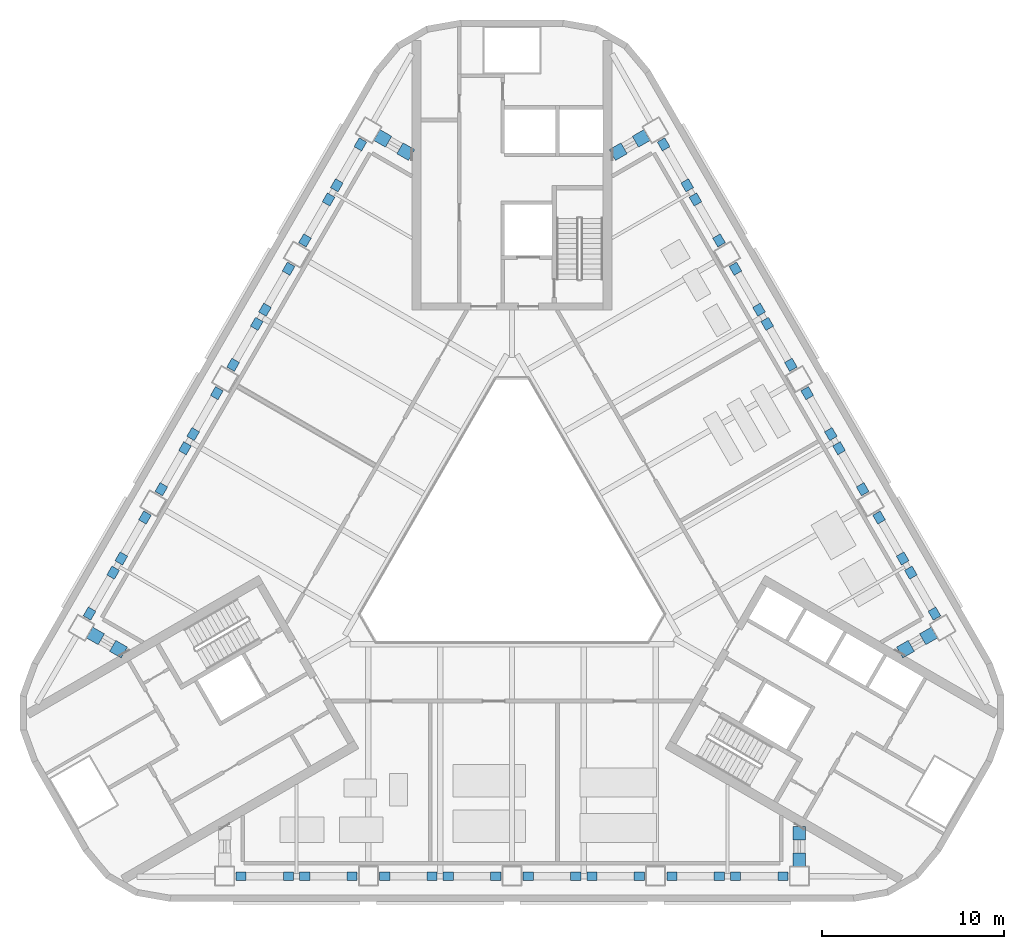
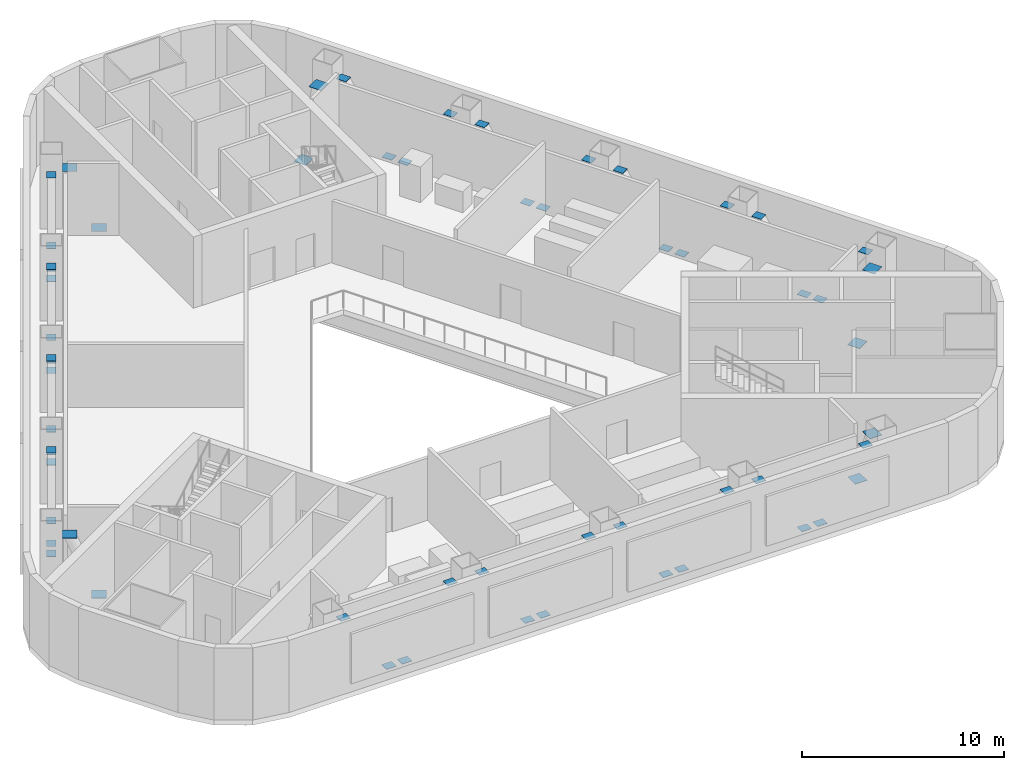
# One storey, part 9 of 14: 58 discrete accessories.
"""IFC4 building model written with IfcOpenShell, lengths in metres."""

from ifc_helpers import new_model, si_unit, direction, frame, origin, origin_2d, place, context, subcontext, project, spatial, rectangle, extrude, material, layer, layer_set, type_object, element, save


model = new_model("IFC4")

# Units and contexts
model_context = context("Model", 3, precision=1e-05, world=origin(), true_north=direction((0.0, 1.0)))
body_context = subcontext(model_context, "Body", "Model", "MODEL_VIEW")
ifc_project = project(units=[si_unit("LENGTHUNIT", "METRE"), si_unit("AREAUNIT", "SQUARE_METRE"), si_unit("VOLUMEUNIT", "CUBIC_METRE"), si_unit("PLANEANGLEUNIT", "RADIAN"), si_unit("MASSUNIT", "GRAM", prefix="KILO")], contexts=[model_context])

# Site, building, storey
site_placement = place(None, origin())
site = spatial("IfcSite", under=ifc_project, at=site_placement, CompositionType="ELEMENT")
building_placement = place(site_placement, origin())
building = spatial("IfcBuilding", under=site, at=building_placement, Name="Apuvela Tower Hotel", CompositionType="ELEMENT")
storey_placement = place(building_placement, frame((0.0, 0.0, 42.0)))
storey = spatial("IfcBuildingStorey", under=building, at=storey_placement, Name="L07 Plant", CompositionType="ELEMENT", Elevation=42.0)

# Discrete accessories
ifc_material = material(Name="Steel S355", Category="steel")
ifc_layer = layer(ifc_material, 0.02001953125)
ifc_layer_set = layer_set([ifc_layer], Name="STR-EP end plate 20")
discrete_accessory_type = type_object("IfcDiscreteAccessoryType", Name="STR-EP end plate 20", PredefinedType="BRACKET", material=ifc_layer_set)
for number, where, z_axis, x_axis, name in (
    (1, (-12.300048828125, -18.22998046875, -0.300048828125), (0.0, 0.0, 1.0), (-1.0, 0.0, 0.0), "End plate EP BR1 S1"),
    (2, (-14.89990234375, -18.22998046875, 3.515869140625), (0.0, 0.0, 1.0), (-1.0, 0.0, 0.0), "End plate EP BR1 S1"),
    (3, (-11.39990234375, -18.22998046875, -0.300048828125), (0.0, 0.0, 1.0), (1.0, 0.0, 0.0), "End plate EP BR1 S1"),
    (4, (-8.800048828125, -18.22998046875, 3.515869140625), (0.0, 0.0, 1.0), (1.0, 0.0, 0.0), "End plate EP BR1 S1"),
    (5, (-4.39990234375, -18.22998046875, -0.300048828125), (0.0, 0.0, 1.0), (-1.0, 0.0, 0.0), "End plate EP BR1 S2"),
    (6, (-7.0, -18.22998046875, 3.515869140625), (0.0, 0.0, 1.0), (-1.0, 0.0, 0.0), "End plate EP BR1 S2"),
    (7, (-3.5, -18.22998046875, -0.300048828125), (0.0, 0.0, 1.0), (1.0, 0.0, 0.0), "End plate EP BR1 S2"),
    (8, (-0.89990234375, -18.22998046875, 3.515869140625), (0.0, 0.0, 1.0), (1.0, 0.0, 0.0), "End plate EP BR1 S2"),
    (9, (3.5, -18.22998046875, -0.300048828125), (0.0, 0.0, 1.0), (-1.0, 0.0, 0.0), "End plate EP BR1 S3"),
    (10, (0.89990234375, -18.22998046875, 3.515869140625), (0.0, 0.0, 1.0), (-1.0, 0.0, 0.0), "End plate EP BR1 S3"),
    (11, (4.39990234375, -18.22998046875, -0.300048828125), (0.0, 0.0, 1.0), (1.0, 0.0, 0.0), "End plate EP BR1 S3"),
    (12, (7.0, -18.22998046875, 3.515869140625), (0.0, 0.0, 1.0), (1.0, 0.0, 0.0), "End plate EP BR1 S3"),
    (13, (11.39990234375, -18.22998046875, -0.300048828125), (0.0, 0.0, 1.0), (-1.0, 0.0, 0.0), "End plate EP BR1 S4"),
    (14, (8.800048828125, -18.22998046875, 3.515869140625), (0.0, 0.0, 1.0), (-1.0, 0.0, 0.0), "End plate EP BR1 S4"),
    (15, (12.300048828125, -18.22998046875, -0.300048828125), (0.0, 0.0, 1.0), (1.0, 0.0, 0.0), "End plate EP BR1 S4"),
    (16, (14.89990234375, -18.22998046875, 3.515869140625), (0.0, 0.0, 1.0), (1.0, 0.0, 0.0), "End plate EP BR1 S4"),
    (17, (21.9375, -1.537109375, -0.300048828125), (0.0, 0.0, 1.0), (0.5, -0.866025403784, 0.0), "End plate EP BR1 NE1"),
    (18, (23.237548828125, -3.788818359375, 3.515869140625), (0.0, 0.0, 1.0), (0.5, -0.866025403784, 0.0), "End plate EP BR1 NE1"),
    (19, (21.487548828125, -0.7578125, -0.300048828125), (0.0, 0.0, 1.0), (-0.5, 0.866025403784, 0.0), "End plate EP BR1 NE1"),
    (20, (20.1875, 1.493896484375, 3.515869140625), (0.0, 0.0, 1.0), (-0.5, 0.866025403784, 0.0), "End plate EP BR1 NE1"),
    (21, (17.987548828125, 5.304443359375, -0.300048828125), (0.0, 0.0, 1.0), (0.5, -0.866025403784, 0.0), "End plate EP BR1 NE2"),
    (22, (19.28759765625, 3.052734375, 3.515869140625), (0.0, 0.0, 1.0), (0.5, -0.866025403784, 0.0), "End plate EP BR1 NE2"),
    (23, (17.53759765625, 6.083984375, -0.300048828125), (0.0, 0.0, 1.0), (-0.5, 0.866025403784, 0.0), "End plate EP BR1 NE2"),
    (24, (16.237548828125, 8.335693359375, 3.515869140625), (0.0, 0.0, 1.0), (-0.5, 0.866025403784, 0.0), "End plate EP BR1 NE2"),
    (25, (14.03759765625, 12.14599609375, -0.300048828125), (0.0, 0.0, 1.0), (0.5, -0.866025403784, 0.0), "End plate EP BR1 NE3"),
    (26, (15.337646484375, 9.894287109375, 3.515869140625), (0.0, 0.0, 1.0), (0.5, -0.866025403784, 0.0), "End plate EP BR1 NE3"),
    (27, (13.587646484375, 12.925537109375, -0.300048828125), (0.0, 0.0, 1.0), (-0.5, 0.866025403784, 0.0), "End plate EP BR1 NE3"),
    (28, (12.28759765625, 15.17724609375, 3.515869140625), (0.0, 0.0, 1.0), (-0.5, 0.866025403784, 0.0), "End plate EP BR1 NE3"),
    (29, (10.087646484375, 18.98779296875, -0.300048828125), (0.0, 0.0, 1.0), (0.5, -0.866025403784, 0.0), "End plate EP BR1 NE4"),
    (30, (11.3876953125, 16.736083984375, 3.515869140625), (0.0, 0.0, 1.0), (0.5, -0.866025403784, 0.0), "End plate EP BR1 NE4"),
    (31, (9.6376953125, 19.76708984375, -0.300048828125), (0.0, 0.0, 1.0), (-0.5, 0.866025403784, 0.0), "End plate EP BR1 NE4"),
    (32, (8.337646484375, 22.018798828125, 3.515869140625), (0.0, 0.0, 1.0), (-0.5, 0.866025403784, 0.0), "End plate EP BR1 NE4"),
    (33, (-9.6376953125, 19.76708984375, -0.300048828125), (0.0, 0.0, 1.0), (0.5, 0.866025403784, 0.0), "End plate EP BR1 NW1"),
    (34, (-8.337646484375, 22.018798828125, 3.515869140625), (0.0, 0.0, 1.0), (0.5, 0.866025403784, 0.0), "End plate EP BR1 NW1"),
    (35, (-10.087646484375, 18.98779296875, -0.300048828125), (0.0, 0.0, 1.0), (-0.5, -0.866025403784, 0.0), "End plate EP BR1 NW1"),
    (36, (-11.3876953125, 16.736083984375, 3.515869140625), (0.0, 0.0, 1.0), (-0.5, -0.866025403784, 0.0), "End plate EP BR1 NW1"),
    (37, (-13.587646484375, 12.925537109375, -0.300048828125), (0.0, 0.0, 1.0), (0.5, 0.866025403784, 0.0), "End plate EP BR1 NW2"),
    (38, (-12.28759765625, 15.17724609375, 3.515869140625), (0.0, 0.0, 1.0), (0.5, 0.866025403784, 0.0), "End plate EP BR1 NW2"),
    (39, (-14.03759765625, 12.14599609375, -0.300048828125), (0.0, 0.0, 1.0), (-0.5, -0.866025403784, 0.0), "End plate EP BR1 NW2"),
    (40, (-15.337646484375, 9.894287109375, 3.515869140625), (0.0, 0.0, 1.0), (-0.5, -0.866025403784, 0.0), "End plate EP BR1 NW2"),
    (41, (-17.53759765625, 6.083984375, -0.300048828125), (0.0, 0.0, 1.0), (0.5, 0.866025403784, 0.0), "End plate EP BR1 NW3"),
    (42, (-16.237548828125, 8.335693359375, 3.515869140625), (0.0, 0.0, 1.0), (0.5, 0.866025403784, 0.0), "End plate EP BR1 NW3"),
    (43, (-17.987548828125, 5.304443359375, -0.300048828125), (0.0, 0.0, 1.0), (-0.5, -0.866025403784, 0.0), "End plate EP BR1 NW3"),
    (44, (-19.28759765625, 3.052734375, 3.515869140625), (0.0, 0.0, 1.0), (-0.5, -0.866025403784, 0.0), "End plate EP BR1 NW3"),
    (45, (-21.487548828125, -0.7578125, -0.300048828125), (0.0, 0.0, 1.0), (0.5, 0.866025403784, 0.0), "End plate EP BR1 NW4"),
    (46, (-20.1875, 1.493896484375, 3.515869140625), (0.0, 0.0, 1.0), (0.5, 0.866025403784, 0.0), "End plate EP BR1 NW4"),
    (47, (-21.9375, -1.537109375, -0.300048828125), (0.0, 0.0, 1.0), (-0.5, -0.866025403784, 0.0), "End plate EP BR1 NW4"),
    (48, (-23.237548828125, -3.788818359375, 3.515869140625), (0.0, 0.0, 1.0), (-0.5, -0.866025403784, 0.0), "End plate EP BR1 NW4"),
):
    element("IfcDiscreteAccessory", number, at=place(storey_placement, frame(where, z_axis=z_axis, x_axis=x_axis)), inside=storey, type_object=discrete_accessory_type, Name=name, PredefinedType="BRACKET", context=body_context, shape_type="SweptSolid", body=[
        extrude(rectangle(XDim=0.563232421875, YDim=0.47998046875, at=origin_2d()), origin(), (0.0, 0.0, 1.0), 0.02001953125),
    ])
for number, where, z_axis, x_axis, name in (
    (49, (21.64306640625, -5.74853515625, -0.300048828125), (0.0, 0.0, 1.0), (0.866025403784, 0.5, 0.0), "End plate EP OD1 NE1"),
    (50, (22.908203125, -5.018310546875, 3.322021484375), (0.0, 0.0, 1.0), (0.866025403784, 0.5, 0.0), "End plate EP OD1 NE1"),
    (51, (5.843017578125, 21.617919921875, -0.300048828125), (0.0, 0.0, 1.0), (0.866025403784, 0.5, 0.0), "End plate EP OD1 NE5"),
    (52, (7.108154296875, 22.34814453125, 3.322021484375), (0.0, 0.0, 1.0), (0.866025403784, 0.5, 0.0), "End plate EP OD1 NE5"),
    (53, (-5.843017578125, 21.617919921875, -0.300048828125), (0.0, 0.0, 1.0), (-0.866025403784, 0.5, 0.0), "End plate EP OD1 NW1"),
    (54, (-7.108154296875, 22.34814453125, 3.322021484375), (0.0, 0.0, 1.0), (-0.866025403784, 0.5, 0.0), "End plate EP OD1 NW1"),
    (55, (-21.64306640625, -5.74853515625, -0.300048828125), (0.0, 0.0, 1.0), (-0.866025403784, 0.5, 0.0), "End plate EP OD1 NW5"),
    (56, (-22.908203125, -5.018310546875, 3.322021484375), (0.0, 0.0, 1.0), (-0.866025403784, 0.5, 0.0), "End plate EP OD1 NW5"),
    (57, (15.800048828125, -15.869140625, -0.300048828125), (0.0, 0.0, 1.0), (0.0, -1.0, 0.0), "End plate EP OD1 S5"),
    (58, (15.800048828125, -17.330078125, 3.322021484375), (0.0, 0.0, 1.0), (0.0, -1.0, 0.0), "End plate EP OD1 S5"),
):
    element("IfcDiscreteAccessory", number, at=place(storey_placement, frame(where, z_axis=z_axis, x_axis=x_axis)), inside=storey, type_object=discrete_accessory_type, Name=name, PredefinedType="BRACKET", context=body_context, shape_type="SweptSolid", body=[
        extrude(rectangle(XDim=0.7373046875, YDim=0.68994140625, at=origin_2d()), origin(), (0.0, 0.0, 1.0), 0.02001953125),
    ])

save(model, "model.ifc")
